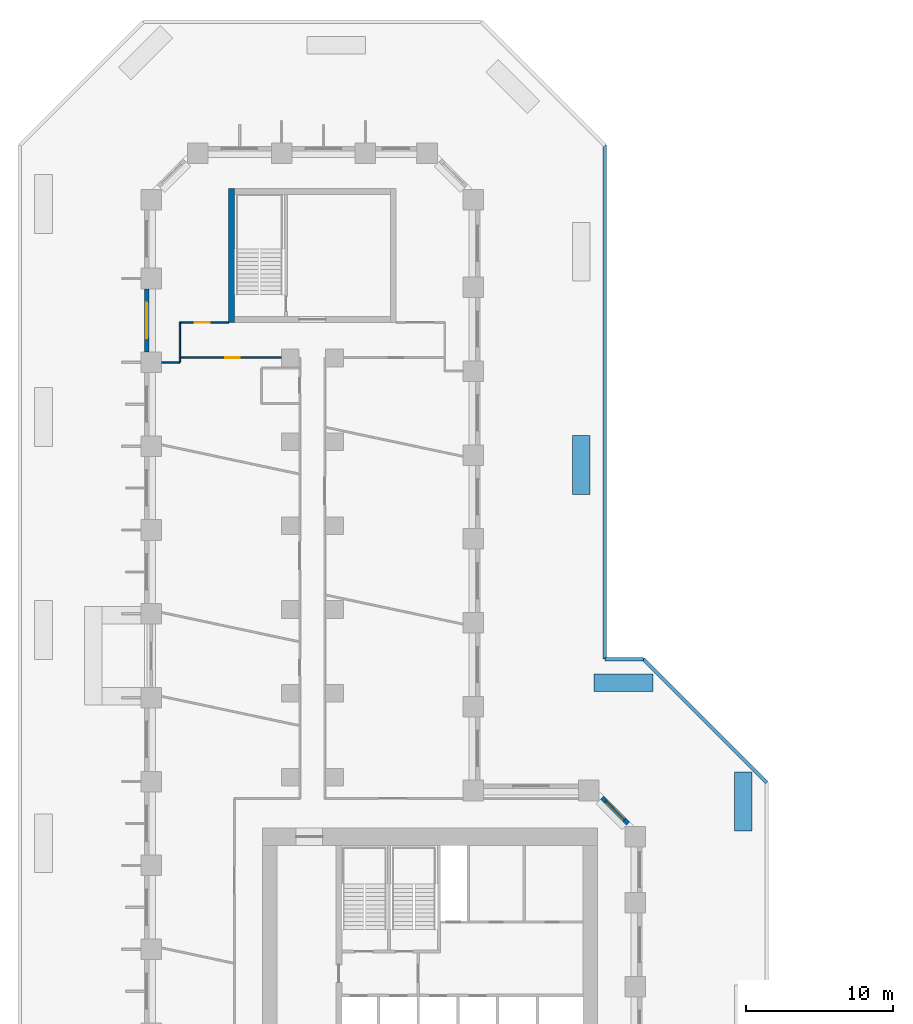
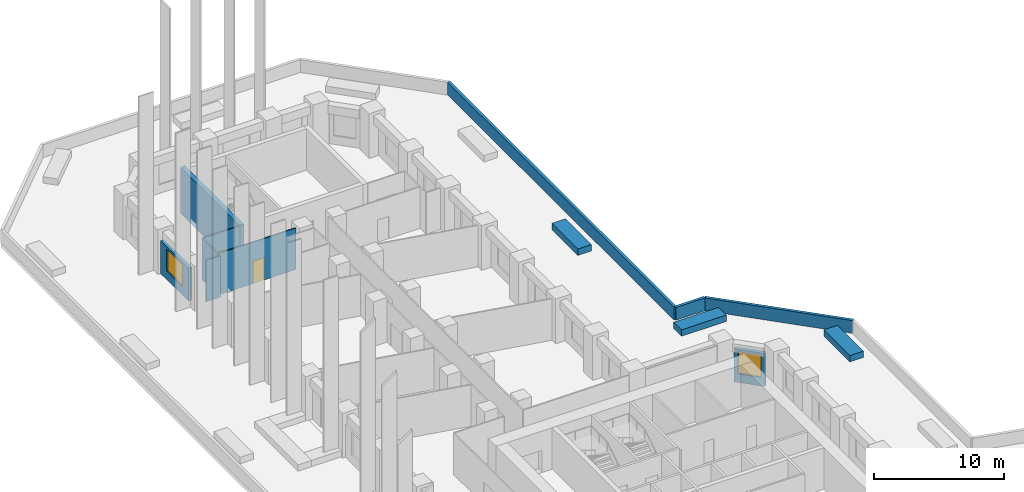
# One storey, part 10 of 13: 14 walls, 2 doors, 2 windows, 4 openings.
"""IFC4 building model written with IfcOpenShell, lengths in metres."""

from ifc_helpers import new_model, si_unit, direction, frame, frame_2d, origin, place, context, subcontext, project, spatial, rectangle, extrude, material, layer, layer_set, type_object, element, fill, save


model = new_model("IFC4")

# Units and contexts
model_context = context("Model", 3, precision=1e-05, world=origin(), true_north=direction((0.0, 1.0)))
body_context = subcontext(model_context, "Body", "Model", "MODEL_VIEW")
ifc_project = project(units=[si_unit("LENGTHUNIT", "METRE"), si_unit("AREAUNIT", "SQUARE_METRE"), si_unit("VOLUMEUNIT", "CUBIC_METRE"), si_unit("PLANEANGLEUNIT", "RADIAN"), si_unit("MASSUNIT", "GRAM", prefix="KILO")], contexts=[model_context])

# Site, building, storey
site_placement = place(None, origin())
site = spatial("IfcSite", under=ifc_project, at=site_placement, CompositionType="ELEMENT")
building_placement = place(site_placement, origin())
building = spatial("IfcBuilding", under=site, at=building_placement, Name="Meshkara Civic Tower", CompositionType="ELEMENT")
storey_placement = place(building_placement, frame((0.0, 0.0, 33.0)))
storey = spatial("IfcBuildingStorey", under=building, at=storey_placement, Name="L06", CompositionType="ELEMENT", Elevation=33.0)

# Wall, opening, door
ifc_material_1 = material(Name="Corridor wall 100")
ifc_layer_1 = layer(ifc_material_1, 0.10009765625)
ifc_layer_set_1 = layer_set([ifc_layer_1], Name="Corridor wall 100")
wall_type_1 = type_object("IfcWallType", Name="Corridor wall 100", PredefinedType="PARTITIONING", material=ifc_layer_set_1)
wall_1_placement = place(storey_placement, frame((2.39990234375, 68.8701171875, 0.0), z_axis=(0.0, 0.0, 1.0), x_axis=(1.0, 0.0, 0.0)))
wall_1 = element("IfcWall", 1, at=wall_1_placement, inside=storey, type_object=wall_type_1, Name="L06-W001", PredefinedType="PARTITIONING", context=body_context, shape_type="SweptSolid", body=[
    extrude(rectangle(XDim=6.900146484375, YDim=0.10009765625, at=frame_2d((3.4501953125, 0.0))), origin(), (0.0, 0.0, 1.0), 3.89990234375),
])
opening_1_placement = place(wall_1_placement, frame((3.080078125, 0.0, 0.0)))
opening_1 = element("IfcOpeningElement", 2, at=opening_1_placement, cuts=wall_1, Name="Opening L06-D024", PredefinedType="OPENING", context=body_context, shape_type="SweptSolid", body=[
    extrude(rectangle(XDim=1.0, YDim=2.10009765625, at=frame_2d((0.5, 1.050048828125))), frame((0.0, 0.06005859375, 0.0), z_axis=(0.0, -1.0, 0.0), x_axis=(1.0, 0.0, 0.0)), (0.0, 0.0, 1.0), 0.1201171875),
])
ifc_material_2 = material(Name="Door 1000 x 2100")
door_type = type_object("IfcDoorType", Name="Door 1000 x 2100", OperationType="SINGLE_SWING_LEFT", PredefinedType="DOOR", material=ifc_material_2)
door_1_placement = place(opening_1_placement, origin())
door_1 = element("IfcDoor", 3, at=door_1_placement, inside=storey, type_object=door_type, Name="L06-D024", OperationType="SINGLE_SWING_LEFT", OverallHeight=2.10009765625, OverallWidth=1.0, PredefinedType="DOOR", context=body_context, shape_type="SweptSolid", body=[
    extrude(rectangle(XDim=1.0, YDim=2.10009765625, at=frame_2d((0.5, 1.050048828125))), frame((0.0, 0.02490234375, 0.0), z_axis=(0.0, -1.0, 0.0), x_axis=(1.0, 0.0, 0.0)), (0.0, 0.0, 1.0), 0.050048828125),
])
fill(opening_1, door_1)

# Wall
wall_2_placement = place(storey_placement, frame((2.39990234375, 71.27001953125, 0.0), z_axis=(0.0, 0.0, 1.0), x_axis=(0.0, -1.0, 0.0)))
element("IfcWall", 4, at=wall_2_placement, inside=storey, type_object=wall_type_1, Name="L06-W002", PredefinedType="PARTITIONING", context=body_context, shape_type="SweptSolid", body=[
    extrude(rectangle(XDim=2.39990234375, YDim=0.10009765625, at=frame_2d((1.199951171875, 0.0))), origin(), (0.0, 0.0, 1.0), 3.89990234375),
])

# Wall, opening, door
wall_3_placement = place(storey_placement, frame((5.699951171875, 71.27001953125, 0.0), z_axis=(0.0, 0.0, 1.0), x_axis=(-1.0, 0.0, 0.0)))
wall_3 = element("IfcWall", 5, at=wall_3_placement, inside=storey, type_object=wall_type_1, Name="L06-W003", PredefinedType="PARTITIONING", context=body_context, shape_type="SweptSolid", body=[
    extrude(rectangle(XDim=3.300048828125, YDim=0.10009765625, at=frame_2d((1.64990234375, 0.0))), origin(), (0.0, 0.0, 1.0), 3.89990234375),
])
opening_2_placement = place(wall_3_placement, frame((1.280029296875, 0.0, 0.0)))
opening_2 = element("IfcOpeningElement", 6, at=opening_2_placement, cuts=wall_3, Name="Opening L06-D023", PredefinedType="OPENING", context=body_context, shape_type="SweptSolid", body=[
    extrude(rectangle(XDim=1.0, YDim=2.10009765625, at=frame_2d((0.5, 1.050048828125))), frame((0.0, 0.06005859375, 0.0), z_axis=(0.0, -1.0, 0.0), x_axis=(1.0, 0.0, 0.0)), (0.0, 0.0, 1.0), 0.1201171875),
])
door_2_placement = place(opening_2_placement, origin())
door_2 = element("IfcDoor", 7, at=door_2_placement, inside=storey, type_object=door_type, Name="L06-D023", OperationType="SINGLE_SWING_LEFT", OverallHeight=2.10009765625, OverallWidth=1.0, PredefinedType="DOOR", context=body_context, shape_type="SweptSolid", body=[
    extrude(rectangle(XDim=1.0, YDim=2.10009765625, at=frame_2d((0.5, 1.050048828125))), frame((0.0, 0.02490234375, 0.0), z_axis=(0.0, -1.0, 0.0), x_axis=(1.0, 0.0, 0.0)), (0.0, 0.0, 1.0), 0.050048828125),
])
fill(opening_2, door_2)

# Wall, opening, window
ifc_material_3 = material(Name="Insulated infill panel with bronze anodised aluminium cladding", Category="aluminium")
ifc_layer_2 = layer(ifc_material_3, 0.300048828125)
ifc_layer_set_2 = layer_set([ifc_layer_2], Name="EXTERNAL INFILL WALL 300")
wall_type_2 = type_object("IfcWallType", Name="EXTERNAL INFILL WALL 300", PredefinedType="SOLIDWALL", material=ifc_layer_set_2)
wall_4_placement = place(storey_placement, frame((32.862060546875, 37.2060546875, 0.0), z_axis=(0.0, 0.0, 1.0), x_axis=(-0.707155935319, 0.707057623637, 0.0)))
wall_4 = element("IfcWall", 8, at=wall_4_placement, inside=storey, type_object=wall_type_2, Name="External wall", PredefinedType="SOLIDWALL", context=body_context, shape_type="SweptSolid", body=[
    extrude(rectangle(XDim=2.4833984375, YDim=0.300048828125, at=frame_2d((1.24169921875, 0.0))), origin(), (0.0, 0.0, 1.0), 3.10009765625),
])
opening_3_placement = place(wall_4_placement, frame((0.342041015625, 0.0, 0.800048828125)))
opening_3 = element("IfcOpeningElement", 9, at=opening_3_placement, cuts=wall_4, Name="Opening W9", PredefinedType="OPENING", context=body_context, shape_type="SweptSolid", body=[
    extrude(rectangle(XDim=1.800048828125, YDim=2.10009765625, at=frame_2d((0.89990234375, 1.050048828125))), frame((0.0, 0.159912109375, 0.0), z_axis=(0.0, -1.0, 0.0), x_axis=(1.0, 0.0, 0.0)), (0.0, 0.0, 1.0), 0.320068359375),
])
ifc_material_4 = material(Name="Tinted double glazing", Category="glass")
window_type_1 = type_object("IfcWindowType", Name="WINDOW 1800x2100", PartitioningType="DOUBLE_PANEL_VERTICAL", PredefinedType="WINDOW", material=ifc_material_4)
window_1_placement = place(opening_3_placement, origin())
window_1 = element("IfcWindow", 10, at=window_1_placement, inside=storey, type_object=window_type_1, Name="Window", OverallHeight=2.10009765625, OverallWidth=1.800048828125, PartitioningType="DOUBLE_PANEL_VERTICAL", PredefinedType="WINDOW", context=body_context, shape_type="SweptSolid", body=[
    extrude(rectangle(XDim=1.800048828125, YDim=2.10009765625, at=frame_2d((0.89990234375, 1.050048828125))), frame((0.0, 0.030029296875, 0.0), z_axis=(0.0, -1.0, 0.0), x_axis=(1.0, 0.0, 0.0)), (0.0, 0.0, 1.0), 0.06005859375),
])
fill(opening_3, window_1)

wall_5_placement = place(storey_placement, frame((0.14990234375, 73.554931640625, 0.0), z_axis=(0.0, 0.0, 1.0), x_axis=(0.0, -1.0, 0.0)))
wall_5 = element("IfcWall", 11, at=wall_5_placement, inside=storey, type_object=wall_type_2, Name="External wall", PredefinedType="SOLIDWALL", context=body_context, shape_type="SweptSolid", body=[
    extrude(rectangle(XDim=4.300048828125, YDim=0.300048828125, at=frame_2d((2.14990234375, 0.0))), origin(), (0.0, 0.0, 1.0), 3.10009765625),
])
opening_4_placement = place(wall_5_placement, frame((0.949951171875, 0.0, 0.800048828125)))
opening_4 = element("IfcOpeningElement", 12, at=opening_4_placement, cuts=wall_5, Name="Opening W7", PredefinedType="OPENING", context=body_context, shape_type="SweptSolid", body=[
    extrude(rectangle(XDim=2.39990234375, YDim=2.10009765625, at=frame_2d((1.199951171875, 1.050048828125))), frame((0.0, 0.159912109375, 0.0), z_axis=(0.0, -1.0, 0.0), x_axis=(1.0, 0.0, 0.0)), (0.0, 0.0, 1.0), 0.320068359375),
])
ifc_material_5 = material(Name="Tinted double glazing", Category="glass")
window_type_2 = type_object("IfcWindowType", Name="WINDOW 2400x2100", PartitioningType="DOUBLE_PANEL_VERTICAL", PredefinedType="WINDOW", material=ifc_material_5)
window_2_placement = place(opening_4_placement, origin())
window_2 = element("IfcWindow", 13, at=window_2_placement, inside=storey, type_object=window_type_2, Name="Window", OverallHeight=2.10009765625, OverallWidth=2.39990234375, PartitioningType="DOUBLE_PANEL_VERTICAL", PredefinedType="WINDOW", context=body_context, shape_type="SweptSolid", body=[
    extrude(rectangle(XDim=2.39990234375, YDim=2.10009765625, at=frame_2d((1.199951171875, 1.050048828125))), frame((0.0, 0.030029296875, 0.0), z_axis=(0.0, -1.0, 0.0), x_axis=(1.0, 0.0, 0.0)), (0.0, 0.0, 1.0), 0.06005859375),
])
fill(opening_4, window_2)

# Walls
ifc_material_6 = material(Name="Concrete C80", Category="concrete")
ifc_layer_3 = layer(ifc_material_6, 0.39990234375)
ifc_layer_set_3 = layer_set([ifc_layer_3], Name="End core ring wall 400 C80")
wall_type_3 = type_object("IfcWallType", Name="End core ring wall 400 C80", PredefinedType="SHEAR", material=ifc_layer_set_3)
wall_6_placement = place(storey_placement, frame((5.89990234375, 71.27001953125, -0.449951171875), z_axis=(0.0, 0.0, 1.0), x_axis=(0.0, 1.0, 0.0)))
element("IfcWall", 14, at=wall_6_placement, inside=storey, type_object=wall_type_3, Name="L06-C026", PredefinedType="SHEAR", context=body_context, shape_type="SweptSolid", body=[
    extrude(rectangle(XDim=9.10009765625, YDim=0.39990234375, at=frame_2d((4.550048828125, 0.0))), origin(), (0.0, 0.0, 1.0), 4.349853515625),
])
ifc_material_7 = material(Name="Concrete C40", Category="concrete")
ifc_layer_4 = layer(ifc_material_7, 1.199951171875)
ifc_layer_set_4 = layer_set([ifc_layer_4], Name="PLANTING BED")
wall_type_4 = type_object("IfcWallType", Name="PLANTING BED", PredefinedType="SOLIDWALL", material=ifc_layer_set_4)
for number, where, z_axis, x_axis, name in (
    (15, (29.679931640625, 63.5849609375, 0.0), (0.0, 0.0, 1.0), (0.0, -1.0, 0.0), "Planting bed"),
    (16, (30.56103515625, 46.780029296875, 0.0), (0.0, 0.0, 1.0), (1.0, 0.0, 0.0), "Planting bed"),
    (17, (40.679931640625, 40.699951171875, 0.0), (0.0, 0.0, 1.0), (0.0, -1.0, 0.0), "Planting bed"),
):
    element("IfcWall", number, at=place(storey_placement, frame(where, z_axis=z_axis, x_axis=x_axis)), inside=storey, type_object=wall_type_4, Name=name, PredefinedType="SOLIDWALL", context=body_context, shape_type="SweptSolid", body=[
        extrude(rectangle(XDim=4.0, YDim=1.199951171875, at=frame_2d((2.0, 0.0))), origin(), (0.0, 0.0, 1.0), 0.60009765625),
    ])
ifc_material_8 = material(Name="Partition 100")
ifc_layer_5 = layer(ifc_material_8, 0.10009765625)
ifc_layer_set_5 = layer_set([ifc_layer_5], Name="Partition 100")
wall_type_5 = type_object("IfcWallType", Name="Partition 100", PredefinedType="PARTITIONING", material=ifc_layer_set_5)
wall_7_placement = place(storey_placement, frame((2.39990234375, 68.554931640625, 0.0), z_axis=(0.0, 0.0, 1.0), x_axis=(-1.0, 0.0, 0.0)))
element("IfcWall", 18, at=wall_7_placement, inside=storey, type_object=wall_type_5, Name="L06-W031", PredefinedType="PARTITIONING", context=body_context, shape_type="SweptSolid", body=[
    extrude(rectangle(XDim=1.25, YDim=0.10009765625, at=frame_2d((0.625, 0.0))), origin(), (0.0, 0.0, 1.0), 3.89990234375),
])
wall_8_placement = place(storey_placement, frame((2.39990234375, 68.8740234375, 0.0), z_axis=(0.0, 0.0, 1.0), x_axis=(0.0, -1.0, 0.0)))
element("IfcWall", 19, at=wall_8_placement, inside=storey, type_object=wall_type_5, Name="L06-W032", PredefinedType="PARTITIONING", context=body_context, shape_type="SweptSolid", body=[
    extrude(rectangle(XDim=0.319091796875, YDim=0.10009765625, at=frame_2d((0.15966796875, 0.0))), origin(), (0.0, 0.0, 1.0), 3.89990234375),
])
ifc_material_9 = material(Name="Concrete C40", Category="concrete")
ifc_layer_6 = layer(ifc_material_9, 0.25)
ifc_layer_set_6 = layer_set([ifc_layer_6], Name="ROOF PARAPET 250")
wall_type_6 = type_object("IfcWallType", Name="ROOF PARAPET 250", PredefinedType="PARAPET", material=ifc_layer_set_6)
wall_9_placement = place(storey_placement, frame((31.280029296875, 83.31298828125, 0.0), z_axis=(0.0, 0.0, 1.0), x_axis=(0.0, -1.0, 0.0)))
element("IfcWall", 20, at=wall_9_placement, inside=storey, type_object=wall_type_6, Name="Roof parapet", PredefinedType="PARAPET", context=body_context, shape_type="SweptSolid", body=[
    extrude(rectangle(XDim=34.93310546875, YDim=0.25, at=frame_2d((17.466552734375, 0.0))), origin(), (0.0, 0.0, 1.0), 1.199951171875),
])
wall_10_placement = place(storey_placement, frame((31.280029296875, 48.3798828125, 0.0), z_axis=(0.0, 0.0, 1.0), x_axis=(1.0, 0.0, 0.0)))
element("IfcWall", 21, at=wall_10_placement, inside=storey, type_object=wall_type_6, Name="Roof parapet", PredefinedType="PARAPET", context=body_context, shape_type="SweptSolid", body=[
    extrude(rectangle(XDim=2.613037109375, YDim=0.25, at=frame_2d((1.306640625, 0.0))), origin(), (0.0, 0.0, 1.0), 1.199951171875),
])
wall_11_placement = place(storey_placement, frame((33.89306640625, 48.3798828125, 0.0), z_axis=(0.0, 0.0, 1.0), x_axis=(0.707106781187, -0.707106781187, 0.0)))
element("IfcWall", 22, at=wall_11_placement, inside=storey, type_object=wall_type_6, Name="Roof parapet", PredefinedType="PARAPET", context=body_context, shape_type="SweptSolid", body=[
    extrude(rectangle(XDim=11.86083984375, YDim=0.25, at=frame_2d((5.930419921875, 0.0))), origin(), (0.0, 0.0, 1.0), 1.199951171875),
])

save(model, "model.ifc")
